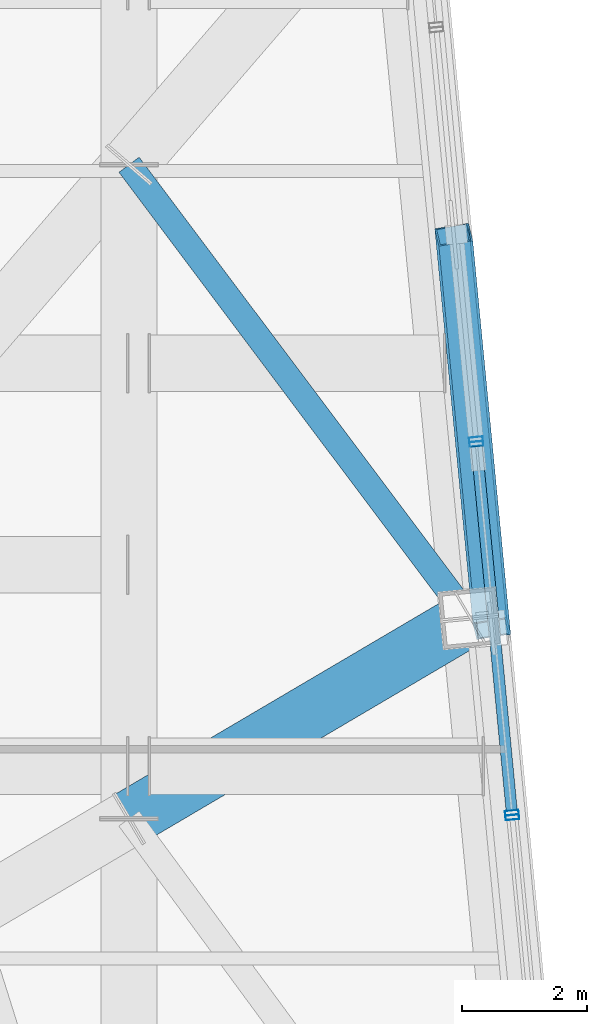
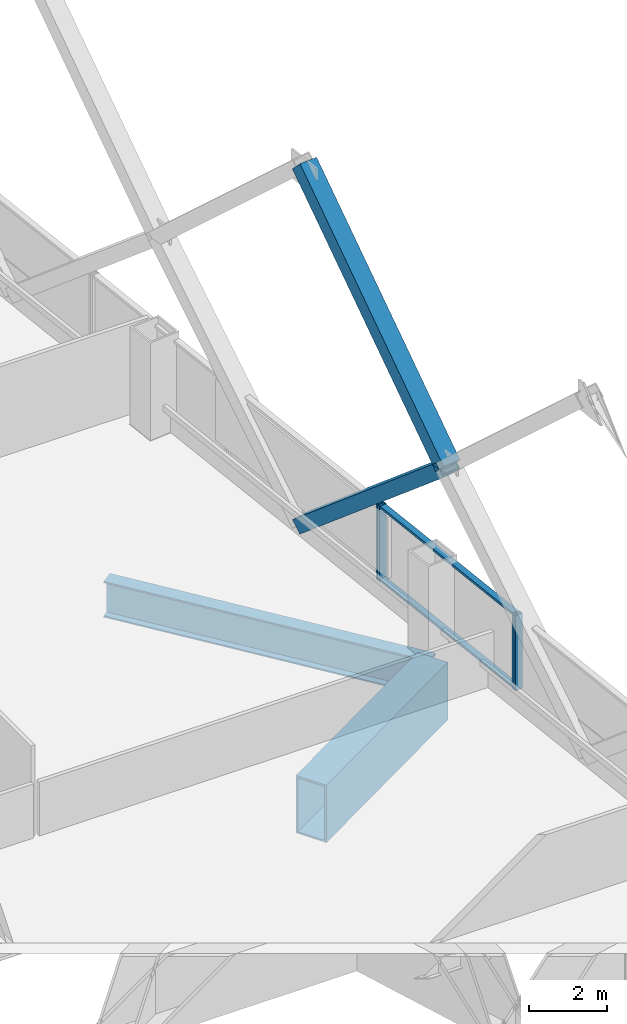
# One storey, part 20 of 42: 8 members, 2 beams, 3 elements without a shape of their own.
"""IFC4 building model written with IfcOpenShell, lengths in metres."""

from ifc_helpers import new_model, si_unit, direction, frame, origin, origin_2d, place, context, subcontext, project, spatial, hollow_rectangle, i_section, extrude, material, layer, layer_set, material_profile, profile_set, type_object, element, aggregate, save


model = new_model("IFC4")

# Units and contexts
model_context = context("Model", 3, precision=1e-05, world=origin(), true_north=direction((0.0, 1.0)))
body_context = subcontext(model_context, "Body", "Model", "MODEL_VIEW")
ifc_project = project(units=[si_unit("LENGTHUNIT", "METRE"), si_unit("AREAUNIT", "SQUARE_METRE"), si_unit("VOLUMEUNIT", "CUBIC_METRE"), si_unit("PLANEANGLEUNIT", "RADIAN"), si_unit("MASSUNIT", "GRAM", prefix="KILO")], contexts=[model_context])

# Site, building, storey
site_placement = place(None, origin())
site = spatial("IfcSite", under=ifc_project, at=site_placement, CompositionType="ELEMENT")
building_placement = place(site_placement, origin())
building = spatial("IfcBuilding", under=site, at=building_placement, Name="Qhalaya Broadcast Tower", CompositionType="ELEMENT")
storey_placement = place(building_placement, frame((0.0, 0.0, 69.449951171875)))
storey = spatial("IfcBuildingStorey", under=building, at=storey_placement, Name="L19", CompositionType="ELEMENT", Elevation=69.449951171875)

# Beam
ifc_material_1 = material(Name="Structural Steel ASTM A572 Grade 50", Category="steel")
ifc_material_profile_1 = material_profile(ifc_material_1, hollow_rectangle(XDim=0.89990234375, YDim=1.800048828125, WallThickness=0.06005859375, at=origin_2d()), Name="BOX 900x1800x60")
ifc_profile_set_1 = profile_set([ifc_material_profile_1], Name="Structural Steel ASTM A572 Grade 50")
beam_type_1 = type_object("IfcBeamType", Name="Block Cantilever Transfer Box Girder TG1", PredefinedType="USERDEFINED", material=ifc_profile_set_1)
beam_1_placement = place(storey_placement, frame((22.669921875, -3.46337890625, -1.119873046875), z_axis=(0.861649145414, 0.507504433682, 0.0), x_axis=(-0.507504433682, 0.861649145414, 0.0)))
element("IfcBeam", 1, at=beam_1_placement, inside=storey, type_object=beam_type_1, Name="L19 Cantilever Transfer Box Girder 06", ObjectType="GIRDER", PredefinedType="USERDEFINED", context=body_context, shape_type="SweptSolid", body=[
    extrude(hollow_rectangle(XDim=0.89990234375, YDim=1.800048828125, WallThickness=0.06005859375, at=origin_2d()), origin(), (0.0, 0.0, 1.0), 6.321533203125),
])

# Members
ifc_material_profile_2 = material_profile(ifc_material_1, hollow_rectangle(XDim=0.419921875, YDim=0.550048828125, WallThickness=0.028076171875, at=origin_2d()), Name="BOX 420x550x28")
ifc_profile_set_2 = profile_set([ifc_material_profile_2], Name="Structural Steel ASTM A572 Grade 50")
member_type_1 = type_object("IfcMemberType", Name="Exoskeleton Diamond Diagonal Mid-Low EX2", PredefinedType="BRACE", material=ifc_profile_set_2)
member_1_placement = place(storey_placement, frame((27.867431640625, 5.882568359375, 0.360107421875), z_axis=(0.073066636585, -0.758635580976, 0.647405067864), x_axis=(-0.157184996454, 0.632267567763, 0.758637330775)))
element("IfcMember", 2, at=member_1_placement, inside=storey, type_object=member_type_1, Name="B2 Exoskeleton Diamond Brace E2-D1", PredefinedType="BRACE", context=body_context, shape_type="SweptSolid", body=[
    extrude(hollow_rectangle(XDim=0.419921875, YDim=0.550048828125, WallThickness=0.028076171875, at=origin_2d()), origin(), (0.0, 0.0, 1.0), 8.309814453125),
])
member_2_placement = place(storey_placement, frame((28.474609375, -0.421630859375, 5.739990234375), z_axis=(-0.070368182799, 0.730618100613, 0.6791505797), x_axis=(0.160214414414, -0.663721379818, 0.730619785789)))
element("IfcMember", 3, at=member_2_placement, inside=storey, type_object=member_type_1, Name="B2 Exoskeleton Diamond Brace E2-D3", PredefinedType="BRACE", context=body_context, shape_type="SweptSolid", body=[
    extrude(hollow_rectangle(XDim=0.419921875, YDim=0.550048828125, WallThickness=0.028076171875, at=origin_2d()), origin(), (0.0, 0.0, 1.0), 8.628662109375),
])

# Beam
ifc_material_2 = material(Name="Structural Steel ASTM A992 Grade 50", Category="steel")
ifc_material_profile_3 = material_profile(ifc_material_2, i_section(OverallWidth=0.404052734375, OverallDepth=1.117919921875, WebThickness=0.026123046875, FlangeThickness=0.044921875, at=origin_2d()), Name="W44X335")
ifc_profile_set_3 = profile_set([ifc_material_profile_3], Name="Structural Steel ASTM A992 Grade 50")
beam_type_2 = type_object("IfcBeamType", Name="Podium Long-Span Primary Girder PG1", PredefinedType="USERDEFINED", material=ifc_profile_set_3)
beam_2_placement = place(storey_placement, frame((22.669921875, 7.00341796875, -0.779052734375), z_axis=(0.600219501015, -0.799835327178, 0.0), x_axis=(0.799835327178, 0.600219501015, 0.0)))
element("IfcBeam", 4, at=beam_2_placement, inside=storey, type_object=beam_type_2, Name="L19 Column-to-Column Moment Tie Girder 06-2", ObjectType="GIRDER", PredefinedType="USERDEFINED", context=body_context, shape_type="SweptSolid", body=[
    extrude(i_section(OverallWidth=0.404052734375, OverallDepth=1.117919921875, WebThickness=0.026123046875, FlangeThickness=0.044921875, at=origin_2d()), origin(), (0.0, 0.0, 1.0), 9.074951171875),
])

# Curtain wall, member
ifc_material_3 = material(Name="Fired Architectural Terracotta", Category="masonry")
ifc_layer_1 = layer(ifc_material_3, 0.219970703125, Name="Fired Architectural Terracotta")
ifc_layer_set_1 = layer_set([ifc_layer_1], Name="Fired Architectural Terracotta")
curtain_wall_type_1 = type_object("IfcCurtainWallType", Name="Block-Cap Unitised Terracotta Spandrel Wall CW-07", PredefinedType="NOTDEFINED", material=ifc_layer_set_1)
curtain_wall_1_placement = place(storey_placement, origin())
curtain_wall_1 = element("IfcCurtainWall", 5, at=curtain_wall_1_placement, inside=storey, type_object=curtain_wall_type_1, Name="L19 Unitised Curtain Wall L19-CW-E2", PredefinedType="NOTDEFINED")
ifc_material_4 = material(Name="Anodised Aluminium 6063-T6", Category="aluminium")
ifc_material_profile_4 = material_profile(ifc_material_4, hollow_rectangle(XDim=0.074951171875, YDim=0.219970703125, WallThickness=0.00390625, at=origin_2d()), Name="ALU-MUL 75x220x4")
ifc_profile_set_4 = profile_set([ifc_material_profile_4], Name="Anodised Aluminium 6063-T6")
member_type_2 = type_object("IfcMemberType", Name="Unitised Curtain-Wall Mullion M01", PredefinedType="MULLION", material=ifc_profile_set_4)
member_3_placement = place(storey_placement, frame((28.8056640625, -3.443115234375, 0.47998046875), z_axis=(0.0, 0.0, 1.0), x_axis=(-0.095856535899, 0.995395159987, 0.0)))
member_3 = element("IfcMember", 6, at=member_3_placement, type_object=member_type_2, Name="CW-07 mullion 2", PredefinedType="MULLION", context=body_context, shape_type="SweptSolid", body=[
    extrude(hollow_rectangle(XDim=0.074951171875, YDim=0.219970703125, WallThickness=0.00390625, at=origin_2d()), origin(), (0.0, 0.0, 1.0), 2.35009765625),
])
aggregate(curtain_wall_1, [member_3])

# Curtain wall, members
ifc_material_5 = material(Name="Solar-Control Low-E Triple Glazing", Category="glass")
ifc_layer_2 = layer(ifc_material_5, 0.219970703125, Name="Solar-Control Low-E Triple Glazing")
ifc_layer_set_2 = layer_set([ifc_layer_2], Name="Solar-Control Low-E Triple Glazing")
curtain_wall_type_2 = type_object("IfcCurtainWallType", Name="Even-Block 4-Storey Double-Module Curtain Wall CW-03", PredefinedType="NOTDEFINED", material=ifc_layer_set_2)
curtain_wall_2_placement = place(storey_placement, origin())
curtain_wall_2 = element("IfcCurtainWall", 7, at=curtain_wall_2_placement, inside=storey, type_object=curtain_wall_type_2, Name="L19 Unitised Curtain Wall L19-CW-E3", PredefinedType="NOTDEFINED")
member_4_placement = place(storey_placement, frame((28.79833984375, -3.368408203125, 0.47998046875), z_axis=(0.0, 0.0, 1.0), x_axis=(-0.095837131698, 0.99539702842, 0.0)))
member_4 = element("IfcMember", 8, at=member_4_placement, type_object=member_type_2, Name="CW-03 mullion 1", PredefinedType="MULLION", context=body_context, shape_type="SweptSolid", body=[
    extrude(hollow_rectangle(XDim=0.074951171875, YDim=0.219970703125, WallThickness=0.00390625, at=origin_2d()), origin(), (0.0, 0.0, 1.0), 2.35009765625),
])
member_5_placement = place(storey_placement, frame((28.230224609375, 2.533203125, 0.47998046875), z_axis=(0.0, 0.0, 1.0), x_axis=(-0.095837131698, 0.99539702842, 0.0)))
member_5 = element("IfcMember", 9, at=member_5_placement, type_object=member_type_2, Name="CW-03 mullion 2", PredefinedType="MULLION", context=body_context, shape_type="SweptSolid", body=[
    extrude(hollow_rectangle(XDim=0.074951171875, YDim=0.219970703125, WallThickness=0.00390625, at=origin_2d()), origin(), (0.0, 0.0, 1.0), 2.35009765625),
])

# Curtain wall, member
curtain_wall_3_placement = place(storey_placement, origin())
curtain_wall_3 = element("IfcCurtainWall", 10, at=curtain_wall_3_placement, inside=storey, type_object=curtain_wall_type_1, Name="L19 Unitised Curtain Wall L19-CW-E4", PredefinedType="NOTDEFINED")
member_6_placement = place(storey_placement, frame((28.222900390625, 2.60791015625, 0.47998046875), z_axis=(0.0, 0.0, 1.0), x_axis=(-0.095857417835, 0.995395075056, 0.0)))
member_6 = element("IfcMember", 11, at=member_6_placement, type_object=member_type_2, Name="CW-07 mullion 1", PredefinedType="MULLION", context=body_context, shape_type="SweptSolid", body=[
    extrude(hollow_rectangle(XDim=0.074951171875, YDim=0.219970703125, WallThickness=0.00390625, at=origin_2d()), origin(), (0.0, 0.0, 1.0), 2.35009765625),
])
aggregate(curtain_wall_3, [member_6])

# Member
ifc_material_profile_5 = material_profile(ifc_material_4, hollow_rectangle(XDim=0.074951171875, YDim=0.179931640625, WallThickness=0.00390625, at=origin_2d()), Name="ALU-TRN 75x180x4")
ifc_profile_set_5 = profile_set([ifc_material_profile_5], Name="Anodised Aluminium 6063-T6")
member_type_3 = type_object("IfcMemberType", Name="Unitised Curtain-Wall Transom T01", PredefinedType="USERDEFINED", material=ifc_profile_set_5)
member_7_placement = place(storey_placement, frame((28.794921875, -3.3310546875, 0.517578125), z_axis=(-0.095840351071, 0.995396718453, 0.0), x_axis=(0.0, 0.0, 1.0)))
member_7 = element("IfcMember", 12, at=member_7_placement, type_object=member_type_3, Name="CW-03 transom 1.1", ObjectType="TRANSOM", PredefinedType="USERDEFINED", context=body_context, shape_type="SweptSolid", body=[
    extrude(hollow_rectangle(XDim=0.074951171875, YDim=0.179931640625, WallThickness=0.00390625, at=origin_2d()), origin(), (0.0, 0.0, 1.0), 5.853759765625),
])

member_8_placement = place(storey_placement, frame((28.794921875, -3.3310546875, 2.79248046875), z_axis=(-0.095840351071, 0.995396718453, 0.0), x_axis=(0.0, 0.0, 1.0)))
member_8 = element("IfcMember", 13, at=member_8_placement, type_object=member_type_3, Name="CW-03 transom 1.2", ObjectType="TRANSOM", PredefinedType="USERDEFINED", context=body_context, shape_type="SweptSolid", body=[
    extrude(hollow_rectangle(XDim=0.074951171875, YDim=0.179931640625, WallThickness=0.00390625, at=origin_2d()), origin(), (0.0, 0.0, 1.0), 5.853759765625),
])

aggregate(curtain_wall_2, [member_4, member_5, member_7, member_8])

save(model, "model.ifc")
